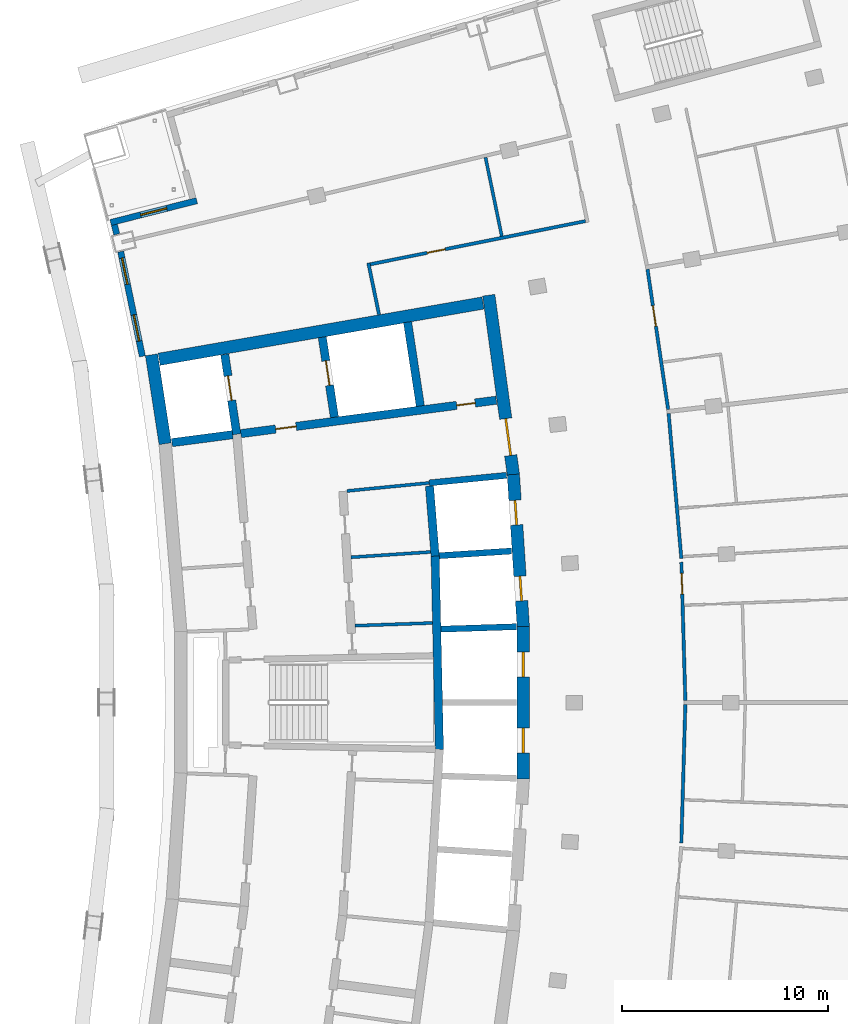
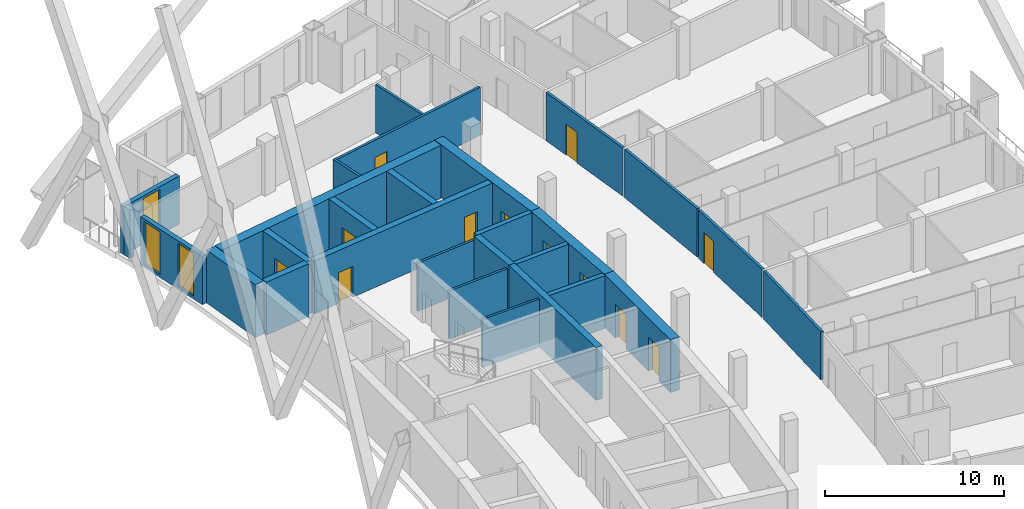
# One storey, part 13 of 20: 28 walls, 12 doors, 3 windows, 15 openings.
"""IFC4 building model written with IfcOpenShell, lengths in metres."""

from ifc_helpers import new_model, si_unit, direction, frame, frame_2d, origin, place, context, subcontext, project, spatial, rectangle, extrude, material, layer, layer_set, type_object, element, fill, save


model = new_model("IFC4")

# Units and contexts
model_context = context("Model", 3, precision=1e-05, world=origin(), true_north=direction((0.0, 1.0)))
body_context = subcontext(model_context, "Body", "Model", "MODEL_VIEW")
ifc_project = project(units=[si_unit("LENGTHUNIT", "METRE"), si_unit("AREAUNIT", "SQUARE_METRE"), si_unit("VOLUMEUNIT", "CUBIC_METRE"), si_unit("PLANEANGLEUNIT", "RADIAN"), si_unit("MASSUNIT", "GRAM", prefix="KILO")], contexts=[model_context])

# Site, building, storey
site_placement = place(None, origin())
site = spatial("IfcSite", under=ifc_project, at=site_placement, CompositionType="ELEMENT")
building_placement = place(site_placement, origin())
building = spatial("IfcBuilding", under=site, at=building_placement, Name="Alderwake Tower", CompositionType="ELEMENT")
storey_placement = place(building_placement, frame((0.0, 0.0, 189.199951171875)))
storey = spatial("IfcBuildingStorey", under=building, at=storey_placement, Name="L46", CompositionType="ELEMENT", Elevation=189.199951171875)

# Walls
ifc_material_1 = material(Name="Gypsum shaft wall system, rated")
ifc_layer_1 = layer(ifc_material_1, 0.14990234375)
ifc_layer_set_1 = layer_set([ifc_layer_1], Name="Core riser partition 150")
wall_type_1 = type_object("IfcWallType", Name="Core riser partition 150", PredefinedType="PARTITIONING", material=ifc_layer_set_1)
wall_1_placement = place(storey_placement, frame((25.191162109375, 64.723388671875, 0.0), z_axis=(0.0, 0.0, 1.0), x_axis=(0.999373256208, 0.035399078746, 0.0)))
element("IfcWall", 1, at=wall_1_placement, inside=storey, type_object=wall_type_1, Name="CW/L46/PR+37_+86", PredefinedType="PARTITIONING", context=body_context, shape_type="SweptSolid", body=[
    extrude(rectangle(XDim=3.751953125, YDim=0.14990234375, at=frame_2d((1.8759765625, 0.0))), origin(), (0.0, 0.0, 1.0), 3.280029296875),
])
ifc_material_2 = material(Name="Gypsum shaft wall system, rated")
ifc_layer_2 = layer(ifc_material_2, 0.14990234375)
ifc_layer_set_2 = layer_set([ifc_layer_2], Name="Core room partition 150")
wall_type_2 = type_object("IfcWallType", Name="Core room partition 150", PredefinedType="PARTITIONING", material=ifc_layer_set_2)
wall_2_placement = place(storey_placement, frame((24.992431640625, 68.038818359375, 0.0), z_axis=(0.0, 0.0, 1.0), x_axis=(0.997760236964, 0.066891774789, 0.0)))
element("IfcWall", 2, at=wall_2_placement, inside=storey, type_object=wall_type_2, Name="CW/L46/PR+70_+86", PredefinedType="PARTITIONING", context=body_context, shape_type="SweptSolid", body=[
    extrude(rectangle(XDim=3.86865234375, YDim=0.14990234375, at=frame_2d((1.934326171875, 0.0))), origin(), (0.0, 0.0, 1.0), 3.280029296875),
])
wall_3_placement = place(storey_placement, frame((24.799560546875, 71.2548828125, 0.0), z_axis=(0.0, 0.0, 1.0), x_axis=(0.995250000627, 0.097352125046, 0.0)))
element("IfcWall", 3, at=wall_3_placement, inside=storey, type_object=wall_type_2, Name="CW/L46/PR+102_+86", PredefinedType="PARTITIONING", context=body_context, shape_type="SweptSolid", body=[
    extrude(rectangle(XDim=4.0, YDim=0.14990234375, at=frame_2d((2.0, 0.0))), origin(), (0.0, 0.0, 1.0), 3.280029296875),
])
ifc_material_3 = material(Name="Concrete C70/85", Category="concrete")
ifc_layer_3 = layer(ifc_material_3, 0.60009765625)
ifc_layer_set_3 = layer_set([ifc_layer_3], Name="Core wall outer 600 C70-85")
wall_type_3 = type_object("IfcWallType", Name="Core wall outer 600 C70-85", PredefinedType="SHEAR", material=ifc_layer_set_3)
wall_4_placement = place(storey_placement, frame((15.984130859375, 73.54296875, 0.0), z_axis=(0.0, 0.0, 1.0), x_axis=(-0.151922578304, 0.988392396876, 0.0)))
element("IfcWall", 4, at=wall_4_placement, inside=storey, type_object=wall_type_3, Name="Core wall CW.034", PredefinedType="SHEAR", context=body_context, shape_type="SweptSolid", body=[
    extrude(rectangle(XDim=4.361328125, YDim=0.60009765625, at=frame_2d((2.1806640625, 0.0))), origin(), (0.0, 0.0, 1.0), 3.60009765625),
])

# Wall, openings, doors
wall_5_placement = place(storey_placement, frame((33.340087890625, 57.30322265625, 0.0), z_axis=(0.0, 0.0, 1.0), x_axis=(0.0, 1.0, 0.0)))
wall_5 = element("IfcWall", 5, at=wall_5_placement, inside=storey, type_object=wall_type_3, Name="Core wall CW.018", PredefinedType="SHEAR", context=body_context, shape_type="SweptSolid", body=[
    extrude(rectangle(XDim=7.3935546875, YDim=0.60009765625, at=frame_2d((3.69677734375, 0.0))), origin(), (0.0, 0.0, 1.0), 3.60009765625),
])
opening_1_placement = place(wall_5_placement, frame((1.25341796875, 0.0, 0.0)))
opening_1 = element("IfcOpeningElement", 6, at=opening_1_placement, cuts=wall_5, Name="Opening LD-HP3", PredefinedType="OPENING", context=body_context, shape_type="SweptSolid", body=[
    extrude(rectangle(XDim=1.199951171875, YDim=2.300048828125, at=frame_2d((0.60009765625, 1.14990234375))), frame((0.0, 0.31005859375, 0.0), z_axis=(0.0, -1.0, 0.0), x_axis=(1.0, 0.0, 0.0)), (0.0, 0.0, 1.0), 0.6201171875),
])
opening_2_placement = place(wall_5_placement, frame((4.940185546875, 0.0, 0.0)))
opening_2 = element("IfcOpeningElement", 7, at=opening_2_placement, cuts=wall_5, Name="Opening LD-HP4", PredefinedType="OPENING", context=body_context, shape_type="SweptSolid", body=[
    extrude(rectangle(XDim=1.199951171875, YDim=2.300048828125, at=frame_2d((0.60009765625, 1.14990234375))), frame((0.0, 0.31005859375, 0.0), z_axis=(0.0, -1.0, 0.0), x_axis=(1.0, 0.0, 0.0)), (0.0, 0.0, 1.0), 0.6201171875),
])
ifc_material_4 = material(Name="Stainless steel sliding leaf", Category="steel")
door_type_1 = type_object("IfcDoorType", Name="Lift landing door 1200", OperationType="SLIDING_TO_LEFT", PredefinedType="DOOR", material=ifc_material_4)
door_1_placement = place(opening_1_placement, origin())
door_1 = element("IfcDoor", 8, at=door_1_placement, inside=storey, type_object=door_type_1, Name="Lift landing door HP3", OperationType="SLIDING_TO_LEFT", OverallHeight=2.300048828125, OverallWidth=1.199951171875, PredefinedType="DOOR", context=body_context, shape_type="SweptSolid", body=[
    extrude(rectangle(XDim=1.199951171875, YDim=2.300048828125, at=frame_2d((0.60009765625, 1.14990234375))), frame((0.0, 0.050048828125, 0.0), z_axis=(0.0, -1.0, 0.0), x_axis=(1.0, 0.0, 0.0)), (0.0, 0.0, 1.0), 0.10009765625),
])
fill(opening_1, door_1)
door_2_placement = place(opening_2_placement, origin())
door_2 = element("IfcDoor", 9, at=door_2_placement, inside=storey, type_object=door_type_1, Name="Lift landing door HP4", OperationType="SLIDING_TO_LEFT", OverallHeight=2.300048828125, OverallWidth=1.199951171875, PredefinedType="DOOR", context=body_context, shape_type="SweptSolid", body=[
    extrude(rectangle(XDim=1.199951171875, YDim=2.300048828125, at=frame_2d((0.60009765625, 1.14990234375))), frame((0.0, 0.050048828125, 0.0), z_axis=(0.0, -1.0, 0.0), x_axis=(1.0, 0.0, 0.0)), (0.0, 0.0, 1.0), 0.10009765625),
])
fill(opening_2, door_2)

wall_6_placement = place(storey_placement, frame((33.3408203125, 64.67626953125, 0.0), z_axis=(0.0, 0.0, 1.0), x_axis=(-0.065013379938, 0.997884392317, 0.0)))
wall_6 = element("IfcWall", 10, at=wall_6_placement, inside=storey, type_object=wall_type_3, Name="Core wall CW.015", PredefinedType="SHEAR", context=body_context, shape_type="SweptSolid", body=[
    extrude(rectangle(XDim=7.39404296875, YDim=0.60009765625, at=frame_2d((3.697021484375, 0.0))), origin(), (0.0, 0.0, 1.0), 3.60009765625),
])
opening_3_placement = place(wall_6_placement, frame((1.253173828125, 0.0, 0.0)))
opening_3 = element("IfcOpeningElement", 11, at=opening_3_placement, cuts=wall_6, Name="Opening LD-HP5", PredefinedType="OPENING", context=body_context, shape_type="SweptSolid", body=[
    extrude(rectangle(XDim=1.199951171875, YDim=2.300048828125, at=frame_2d((0.60009765625, 1.14990234375))), frame((0.0, 0.31005859375, 0.0), z_axis=(0.0, -1.0, 0.0), x_axis=(1.0, 0.0, 0.0)), (0.0, 0.0, 1.0), 0.6201171875),
])
opening_4_placement = place(wall_6_placement, frame((4.940185546875, 0.0, 0.0)))
opening_4 = element("IfcOpeningElement", 12, at=opening_4_placement, cuts=wall_6, Name="Opening LD-HP6", PredefinedType="OPENING", context=body_context, shape_type="SweptSolid", body=[
    extrude(rectangle(XDim=1.199951171875, YDim=2.300048828125, at=frame_2d((0.60009765625, 1.14990234375))), frame((0.0, 0.31005859375, 0.0), z_axis=(0.0, -1.0, 0.0), x_axis=(1.0, 0.0, 0.0)), (0.0, 0.0, 1.0), 0.6201171875),
])
door_3_placement = place(opening_3_placement, origin())
door_3 = element("IfcDoor", 13, at=door_3_placement, inside=storey, type_object=door_type_1, Name="Lift landing door HP5", OperationType="SLIDING_TO_LEFT", OverallHeight=2.300048828125, OverallWidth=1.199951171875, PredefinedType="DOOR", context=body_context, shape_type="SweptSolid", body=[
    extrude(rectangle(XDim=1.199951171875, YDim=2.300048828125, at=frame_2d((0.60009765625, 1.14990234375))), frame((0.0, 0.050048828125, 0.0), z_axis=(0.0, -1.0, 0.0), x_axis=(1.0, 0.0, 0.0)), (0.0, 0.0, 1.0), 0.10009765625),
])
fill(opening_3, door_3)
door_4_placement = place(opening_4_placement, origin())
door_4 = element("IfcDoor", 14, at=door_4_placement, inside=storey, type_object=door_type_1, Name="Lift landing door HP6", OperationType="SLIDING_TO_LEFT", OverallHeight=2.300048828125, OverallWidth=1.199951171875, PredefinedType="DOOR", context=body_context, shape_type="SweptSolid", body=[
    extrude(rectangle(XDim=1.199951171875, YDim=2.300048828125, at=frame_2d((0.60009765625, 1.14990234375))), frame((0.0, 0.050048828125, 0.0), z_axis=(0.0, -1.0, 0.0), x_axis=(1.0, 0.0, 0.0)), (0.0, 0.0, 1.0), 0.10009765625),
])
fill(opening_4, door_4)

# Wall, opening, door
wall_7_placement = place(storey_placement, frame((31.66796875, 80.743896484375, 0.0), z_axis=(0.0, 0.0, 1.0), x_axis=(0.135856583698, -0.990728514108, 0.0)))
wall_7 = element("IfcWall", 15, at=wall_7_placement, inside=storey, type_object=wall_type_3, Name="Core wall CW.014", PredefinedType="SHEAR", context=body_context, shape_type="SweptSolid", body=[
    extrude(rectangle(XDim=8.79296875, YDim=0.60009765625, at=frame_2d((4.396484375, 0.0))), origin(), (0.0, 0.0, 1.0), 3.60009765625),
])
opening_5_placement = place(wall_7_placement, frame((6.038818359375, 0.0, 0.0)))
opening_5 = element("IfcOpeningElement", 16, at=opening_5_placement, cuts=wall_7, Name="Opening C001", PredefinedType="OPENING", context=body_context, shape_type="SweptSolid", body=[
    extrude(rectangle(XDim=1.800048828125, YDim=2.10009765625, at=frame_2d((0.89990234375, 1.050048828125))), frame((0.0, 0.31005859375, 0.0), z_axis=(0.0, -1.0, 0.0), x_axis=(1.0, 0.0, 0.0)), (0.0, 0.0, 1.0), 0.6201171875),
])
ifc_material_5 = material(Name="Steel-framed fire door leaves", Category="steel")
door_type_2 = type_object("IfcDoorType", Name="Core double door 1800 fire-rated", OperationType="DOUBLE_DOOR_SINGLE_SWING", PredefinedType="DOOR", material=ifc_material_5)
door_5_placement = place(opening_5_placement, origin())
door_5 = element("IfcDoor", 17, at=door_5_placement, inside=storey, type_object=door_type_2, Name="Lobby double door", OperationType="DOUBLE_DOOR_SINGLE_SWING", OverallHeight=2.10009765625, OverallWidth=1.800048828125, PredefinedType="DOOR", context=body_context, shape_type="SweptSolid", body=[
    extrude(rectangle(XDim=1.800048828125, YDim=2.10009765625, at=frame_2d((0.89990234375, 1.050048828125))), frame((0.0, 0.050048828125, 0.0), z_axis=(0.0, -1.0, 0.0), x_axis=(1.0, 0.0, 0.0)), (0.0, 0.0, 1.0), 0.10009765625),
])
fill(opening_5, door_5)

# Walls
wall_8_placement = place(storey_placement, frame((15.68896484375, 77.6357421875, 0.0), z_axis=(0.0, 0.0, 1.0), x_axis=(0.985223223422, 0.17127521721, 0.0)))
element("IfcWall", 18, at=wall_8_placement, inside=storey, type_object=wall_type_3, Name="Core wall CW.055", PredefinedType="SHEAR", context=body_context, shape_type="SweptSolid", body=[
    extrude(rectangle(XDim=15.933349609375, YDim=0.60009765625, at=frame_2d((7.966796875, 0.0))), origin(), (0.0, 0.0, 1.0), 3.60009765625),
])
ifc_material_6 = material(Name="Concrete C70/85", Category="concrete")
ifc_layer_4 = layer(ifc_material_6, 0.300048828125)
ifc_layer_set_4 = layer_set([ifc_layer_4], Name="Core wall shaft 300 C70-85")
wall_type_4 = type_object("IfcWallType", Name="Core wall shaft 300 C70-85", PredefinedType="SHEAR", material=ifc_layer_set_4)
wall_9_placement = place(storey_placement, frame((29.347412109375, 64.556396484375, 0.0), z_axis=(0.0, 0.0, 1.0), x_axis=(0.99946918462, 0.032578351638, 0.0)))
element("IfcWall", 19, at=wall_9_placement, inside=storey, type_object=wall_type_4, Name="Core wall CW.058", PredefinedType="SHEAR", context=body_context, shape_type="SweptSolid", body=[
    extrude(rectangle(XDim=3.66455078125, YDim=0.300048828125, at=frame_2d((1.832275390625, 0.0))), origin(), (0.0, 0.0, 1.0), 3.60009765625),
])
wall_10_placement = place(storey_placement, frame((29.268798828125, 68.115478515625, 0.0), z_axis=(0.0, 0.0, 1.0), x_axis=(0.997887366571, 0.064967712281, 0.0)))
element("IfcWall", 20, at=wall_10_placement, inside=storey, type_object=wall_type_4, Name="Core wall CW.061", PredefinedType="SHEAR", context=body_context, shape_type="SweptSolid", body=[
    extrude(rectangle(XDim=3.509765625, YDim=0.300048828125, at=frame_2d((1.7548828125, 0.0))), origin(), (0.0, 0.0, 1.0), 3.60009765625),
])
wall_11_placement = place(storey_placement, frame((28.780517578125, 71.644287109375, 0.0), z_axis=(0.0, 0.0, 1.0), x_axis=(0.995245280185, 0.097400370992, 0.0)))
element("IfcWall", 21, at=wall_11_placement, inside=storey, type_object=wall_type_4, Name="Core wall CW.049", PredefinedType="SHEAR", context=body_context, shape_type="SweptSolid", body=[
    extrude(rectangle(XDim=3.769775390625, YDim=0.300048828125, at=frame_2d((1.884765625, 0.0))), origin(), (0.0, 0.0, 1.0), 3.60009765625),
])

# Wall, opening, door
ifc_material_7 = material(Name="Concrete C70/85", Category="concrete")
ifc_layer_5 = layer(ifc_material_7, 0.39990234375)
ifc_layer_set_5 = layer_set([ifc_layer_5], Name="Core wall spine 400 C70-85")
wall_type_5 = type_object("IfcWallType", Name="Core wall spine 400 C70-85", PredefinedType="SHEAR", material=ifc_layer_set_5)
wall_12_placement = place(storey_placement, frame((19.4541015625, 74.00048828125, 0.0), z_axis=(0.0, 0.0, 1.0), x_axis=(-0.148977743105, 0.98884054936, 0.0)))
wall_12 = element("IfcWall", 22, at=wall_12_placement, inside=storey, type_object=wall_type_5, Name="Core wall CW.030", PredefinedType="SHEAR", context=body_context, shape_type="SweptSolid", body=[
    extrude(rectangle(XDim=3.9150390625, YDim=0.39990234375, at=frame_2d((1.95751953125, 0.0))), origin(), (0.0, 0.0, 1.0), 3.60009765625),
])
opening_6_placement = place(wall_12_placement, frame((1.6611328125, 0.0, 0.0)))
opening_6 = element("IfcOpeningElement", 23, at=opening_6_placement, cuts=wall_12, Name="Opening LD-FF1", PredefinedType="OPENING", context=body_context, shape_type="SweptSolid", body=[
    extrude(rectangle(XDim=1.199951171875, YDim=2.300048828125, at=frame_2d((0.60009765625, 1.14990234375))), frame((0.0, 0.2099609375, 0.0), z_axis=(0.0, -1.0, 0.0), x_axis=(1.0, 0.0, 0.0)), (0.0, 0.0, 1.0), 0.419921875),
])
door_6_placement = place(opening_6_placement, origin())
door_6 = element("IfcDoor", 24, at=door_6_placement, inside=storey, type_object=door_type_1, Name="Lift landing door FF1", OperationType="SLIDING_TO_LEFT", OverallHeight=2.300048828125, OverallWidth=1.199951171875, PredefinedType="DOOR", context=body_context, shape_type="SweptSolid", body=[
    extrude(rectangle(XDim=1.199951171875, YDim=2.300048828125, at=frame_2d((0.60009765625, 1.14990234375))), frame((0.0, 0.02490234375, 0.0), z_axis=(0.0, -1.0, 0.0), x_axis=(1.0, 0.0, 0.0)), (0.0, 0.0, 1.0), 0.050048828125),
])
fill(opening_6, door_6)

wall_13_placement = place(storey_placement, frame((24.186279296875, 74.82861328125, 0.0), z_axis=(0.0, 0.0, 1.0), x_axis=(-0.150092938275, 0.988671891924, 0.0)))
wall_13 = element("IfcWall", 25, at=wall_13_placement, inside=storey, type_object=wall_type_5, Name="Core wall CW.044", PredefinedType="SHEAR", context=body_context, shape_type="SweptSolid", body=[
    extrude(rectangle(XDim=3.92333984375, YDim=0.39990234375, at=frame_2d((1.961669921875, 0.0))), origin(), (0.0, 0.0, 1.0), 3.60009765625),
])
opening_7_placement = place(wall_13_placement, frame((1.561767578125, 0.0, 0.0)))
opening_7 = element("IfcOpeningElement", 26, at=opening_7_placement, cuts=wall_13, Name="Opening LD-FF2", PredefinedType="OPENING", context=body_context, shape_type="SweptSolid", body=[
    extrude(rectangle(XDim=1.199951171875, YDim=2.300048828125, at=frame_2d((0.60009765625, 1.14990234375))), frame((0.0, 0.2099609375, 0.0), z_axis=(0.0, -1.0, 0.0), x_axis=(1.0, 0.0, 0.0)), (0.0, 0.0, 1.0), 0.419921875),
])
door_7_placement = place(opening_7_placement, origin())
door_7 = element("IfcDoor", 27, at=door_7_placement, inside=storey, type_object=door_type_1, Name="Lift landing door FF2", OperationType="SLIDING_TO_LEFT", OverallHeight=2.300048828125, OverallWidth=1.199951171875, PredefinedType="DOOR", context=body_context, shape_type="SweptSolid", body=[
    extrude(rectangle(XDim=1.199951171875, YDim=2.300048828125, at=frame_2d((0.60009765625, 1.14990234375))), frame((0.0, 0.02490234375, 0.0), z_axis=(0.0, -1.0, 0.0), x_axis=(1.0, 0.0, 0.0)), (0.0, 0.0, 1.0), 0.050048828125),
])
fill(opening_7, door_7)

# Walls
wall_14_placement = place(storey_placement, frame((29.276611328125, 58.71826171875, 0.0), z_axis=(0.0, 0.0, 1.0), x_axis=(-0.022119171053, 0.999755341207, 0.0)))
element("IfcWall", 28, at=wall_14_placement, inside=storey, type_object=wall_type_5, Name="Core wall CW.007", PredefinedType="SHEAR", context=body_context, shape_type="SweptSolid", body=[
    extrude(rectangle(XDim=9.392822265625, YDim=0.39990234375, at=frame_2d((4.6962890625, 0.0))), origin(), (0.0, 0.0, 1.0), 3.60009765625),
])
wall_15_placement = place(storey_placement, frame((29.069580078125, 68.09619140625, 0.0), z_axis=(0.0, 0.0, 1.0), x_axis=(-0.080544811251, 0.996750988653, 0.0)))
element("IfcWall", 29, at=wall_15_placement, inside=storey, type_object=wall_type_5, Name="Core wall CW.003", PredefinedType="SHEAR", context=body_context, shape_type="SweptSolid", body=[
    extrude(rectangle(XDim=3.409912109375, YDim=0.39990234375, at=frame_2d((1.705078125, 0.0))), origin(), (0.0, 0.0, 1.0), 3.60009765625),
])
wall_16_placement = place(storey_placement, frame((28.350830078125, 75.373291015625, 0.0), z_axis=(0.0, 0.0, 1.0), x_axis=(-0.150143035921, 0.988664285167, 0.0)))
element("IfcWall", 30, at=wall_16_placement, inside=storey, type_object=wall_type_5, Name="Core wall CW.001", PredefinedType="SHEAR", context=body_context, shape_type="SweptSolid", body=[
    extrude(rectangle(XDim=4.1123046875, YDim=0.39990234375, at=frame_2d((2.05615234375, 0.0))), origin(), (0.0, 0.0, 1.0), 3.60009765625),
])
wall_17_placement = place(storey_placement, frame((16.31005859375, 73.5966796875, 0.0), z_axis=(0.0, 0.0, 1.0), x_axis=(0.99155863891, 0.12965903595, 0.0)))
element("IfcWall", 31, at=wall_17_placement, inside=storey, type_object=wall_type_5, Name="Core wall CW.051", PredefinedType="SHEAR", context=body_context, shape_type="SweptSolid", body=[
    extrude(rectangle(XDim=2.969482421875, YDim=0.39990234375, at=frame_2d((1.48486328125, 0.0))), origin(), (0.0, 0.0, 1.0), 3.60009765625),
])

# Wall, openings, doors
wall_18_placement = place(storey_placement, frame((32.032958984375, 75.653076171875, 0.0), z_axis=(0.0, 0.0, 1.0), x_axis=(-0.991554886316, -0.129687730428, 0.0)))
wall_18 = element("IfcWall", 32, at=wall_18_placement, inside=storey, type_object=wall_type_5, Name="Core wall CW.052", PredefinedType="SHEAR", context=body_context, shape_type="SweptSolid", body=[
    extrude(rectangle(XDim=12.48681640625, YDim=0.39990234375, at=frame_2d((6.243408203125, 0.0))), origin(), (0.0, 0.0, 1.0), 3.60009765625),
])
opening_8_placement = place(wall_18_placement, frame((9.787109375, 0.0, 0.0)))
opening_8 = element("IfcOpeningElement", 33, at=opening_8_placement, cuts=wall_18, Name="Opening C002", PredefinedType="OPENING", context=body_context, shape_type="SweptSolid", body=[
    extrude(rectangle(XDim=1.0, YDim=2.10009765625, at=frame_2d((0.5, 1.050048828125))), frame((0.0, 0.2099609375, 0.0), z_axis=(0.0, -1.0, 0.0), x_axis=(1.0, 0.0, 0.0)), (0.0, 0.0, 1.0), 0.419921875),
])
opening_9_placement = place(wall_18_placement, frame((1.037109375, 0.0, 0.0)))
opening_9 = element("IfcOpeningElement", 34, at=opening_9_placement, cuts=wall_18, Name="Opening C020", PredefinedType="OPENING", context=body_context, shape_type="SweptSolid", body=[
    extrude(rectangle(XDim=0.89990234375, YDim=2.10009765625, at=frame_2d((0.449951171875, 1.050048828125))), frame((0.0, 0.2099609375, 0.0), z_axis=(0.0, -1.0, 0.0), x_axis=(1.0, 0.0, 0.0)), (0.0, 0.0, 1.0), 0.419921875),
])
ifc_material_8 = material(Name="Painted steel leaf", Category="steel")
door_type_3 = type_object("IfcDoorType", Name="Core room door 900", OperationType="SINGLE_SWING_LEFT", PredefinedType="DOOR", material=ifc_material_8)
door_8_placement = place(opening_9_placement, origin())
door_8 = element("IfcDoor", 35, at=door_8_placement, inside=storey, type_object=door_type_3, Name="Room door", OperationType="SINGLE_SWING_LEFT", OverallHeight=2.10009765625, OverallWidth=0.89990234375, PredefinedType="DOOR", context=body_context, shape_type="SweptSolid", body=[
    extrude(rectangle(XDim=0.89990234375, YDim=2.10009765625, at=frame_2d((0.449951171875, 1.050048828125))), frame((0.0, 0.02490234375, 0.0), z_axis=(0.0, -1.0, 0.0), x_axis=(1.0, 0.0, 0.0)), (0.0, 0.0, 1.0), 0.050048828125),
])
fill(opening_9, door_8)
ifc_material_9 = material(Name="Steel-framed fire door leaf", Category="steel")
door_type_4 = type_object("IfcDoorType", Name="Firefighting lobby door 1000 fire-rated", OperationType="SINGLE_SWING_LEFT", PredefinedType="DOOR", material=ifc_material_9)
door_9_placement = place(opening_8_placement, origin())
door_9 = element("IfcDoor", 36, at=door_9_placement, inside=storey, type_object=door_type_4, Name="Firefighting lobby door", OperationType="SINGLE_SWING_RIGHT", OverallHeight=2.10009765625, OverallWidth=1.0, PredefinedType="DOOR", context=body_context, shape_type="SweptSolid", body=[
    extrude(rectangle(XDim=1.0, YDim=2.10009765625, at=frame_2d((0.5, 1.050048828125))), frame((0.0, 0.02490234375, 0.0), z_axis=(0.0, -1.0, 0.0), x_axis=(1.0, 0.0, 0.0)), (0.0, 0.0, 1.0), 0.050048828125),
])
fill(opening_8, door_9)

# Wall
ifc_material_10 = material(Name="Gypsum board on metal studs, rated")
ifc_layer_6 = layer(ifc_material_10, 0.159912109375)
ifc_layer_set_6 = layer_set([ifc_layer_6], Name="Corridor wall 160")
wall_type_6 = type_object("IfcWallType", Name="Corridor wall 160", PredefinedType="PARTITIONING", material=ifc_layer_set_6)
wall_19_placement = place(storey_placement, frame((25.831787109375, 82.305419921875, 0.0), z_axis=(0.0, 0.0, 1.0), x_axis=(0.202450797205, -0.979292435747, 0.0)))
element("IfcWall", 37, at=wall_19_placement, inside=storey, type_object=wall_type_6, Name="WL/L46/W11", PredefinedType="PARTITIONING", context=body_context, shape_type="SweptSolid", body=[
    extrude(rectangle(XDim=2.555419921875, YDim=0.159912109375, at=frame_2d((1.27783203125, 0.0))), origin(), (0.0, 0.0, 1.0), 3.280029296875),
])

# Wall, opening, door
wall_20_placement = place(storey_placement, frame((25.926513671875, 82.24267578125, 0.0), z_axis=(0.0, 0.0, 1.0), x_axis=(0.98046310274, 0.196703086316, 0.0)))
wall_20 = element("IfcWall", 38, at=wall_20_placement, inside=storey, type_object=wall_type_6, Name="WL/L46/W19", PredefinedType="PARTITIONING", context=body_context, shape_type="SweptSolid", body=[
    extrude(rectangle(XDim=10.637939453125, YDim=0.159912109375, at=frame_2d((5.31884765625, 0.0))), origin(), (0.0, 0.0, 1.0), 3.280029296875),
])
opening_10_placement = place(wall_20_placement, frame((2.80908203125, 0.0, 0.0)))
opening_10 = element("IfcOpeningElement", 39, at=opening_10_placement, cuts=wall_20, Name="Opening R13-SBN1", PredefinedType="OPENING", context=body_context, shape_type="SweptSolid", body=[
    extrude(rectangle(XDim=0.89990234375, YDim=2.10009765625, at=frame_2d((0.449951171875, 1.050048828125))), frame((0.0, 0.08984375, 0.0), z_axis=(0.0, -1.0, 0.0), x_axis=(1.0, 0.0, 0.0)), (0.0, 0.0, 1.0), 0.179931640625),
])
ifc_material_11 = material(Name="Painted timber leaf", Category="wood")
door_type_5 = type_object("IfcDoorType", Name="Room door 900", OperationType="SINGLE_SWING_LEFT", PredefinedType="DOOR", material=ifc_material_11)
door_10_placement = place(opening_10_placement, origin())
door_10 = element("IfcDoor", 40, at=door_10_placement, inside=storey, type_object=door_type_5, Name="DR/L46/SBN1", OperationType="SINGLE_SWING_LEFT", OverallHeight=2.10009765625, OverallWidth=0.89990234375, PredefinedType="DOOR", context=body_context, shape_type="SweptSolid", body=[
    extrude(rectangle(XDim=0.89990234375, YDim=2.10009765625, at=frame_2d((0.449951171875, 1.050048828125))), frame((0.0, 0.02490234375, 0.0), z_axis=(0.0, -1.0, 0.0), x_axis=(1.0, 0.0, 0.0)), (0.0, 0.0, 1.0), 0.050048828125),
])
fill(opening_10, door_10)

wall_21_placement = place(storey_placement, frame((39.362548828125, 82.001953125, 0.0), z_axis=(0.0, 0.0, 1.0), x_axis=(0.145565626222, -0.98934859805, 0.0)))
wall_21 = element("IfcWall", 41, at=wall_21_placement, inside=storey, type_object=wall_type_6, Name="WL/L46/W24", PredefinedType="PARTITIONING", context=body_context, shape_type="SweptSolid", body=[
    extrude(rectangle(XDim=6.8681640625, YDim=0.159912109375, at=frame_2d((3.43408203125, 0.0))), origin(), (0.0, 0.0, 1.0), 3.280029296875),
])
opening_11_placement = place(wall_21_placement, frame((1.782470703125, 0.0, 0.0)))
opening_11 = element("IfcOpeningElement", 42, at=opening_11_placement, cuts=wall_21, Name="Opening R13-U06.1", PredefinedType="OPENING", context=body_context, shape_type="SweptSolid", body=[
    extrude(rectangle(XDim=1.0, YDim=2.10009765625, at=frame_2d((0.5, 1.050048828125))), frame((0.0, 0.08984375, 0.0), z_axis=(0.0, -1.0, 0.0), x_axis=(1.0, 0.0, 0.0)), (0.0, 0.0, 1.0), 0.179931640625),
])
ifc_material_12 = material(Name="Solid timber leaf in steel frame", Category="steel")
door_type_6 = type_object("IfcDoorType", Name="Flat entrance door 1000 fire-rated", OperationType="SINGLE_SWING_LEFT", PredefinedType="DOOR", material=ifc_material_12)
door_11_placement = place(opening_11_placement, origin())
door_11 = element("IfcDoor", 43, at=door_11_placement, inside=storey, type_object=door_type_6, Name="DR/L46/U06.1", OperationType="SINGLE_SWING_LEFT", OverallHeight=2.10009765625, OverallWidth=1.0, PredefinedType="DOOR", context=body_context, shape_type="SweptSolid", body=[
    extrude(rectangle(XDim=1.0, YDim=2.10009765625, at=frame_2d((0.5, 1.050048828125))), frame((0.0, 0.02490234375, 0.0), z_axis=(0.0, -1.0, 0.0), x_axis=(1.0, 0.0, 0.0)), (0.0, 0.0, 1.0), 0.050048828125),
])
fill(opening_11, door_11)

# Walls
wall_22_placement = place(storey_placement, frame((41.002685546875, 54.20068359375, 0.0), z_axis=(0.0, 0.0, 1.0), x_axis=(0.028855161601, 0.999583603131, 0.0)))
element("IfcWall", 44, at=wall_22_placement, inside=storey, type_object=wall_type_6, Name="WL/L46/W25", PredefinedType="PARTITIONING", context=body_context, shape_type="SweptSolid", body=[
    extrude(rectangle(XDim=6.700927734375, YDim=0.159912109375, at=frame_2d((3.3505859375, 0.0))), origin(), (0.0, 0.0, 1.0), 3.280029296875),
])
wall_23_placement = place(storey_placement, frame((41.001953125, 67.9873046875, 0.0), z_axis=(0.0, 0.0, 1.0), x_axis=(-0.087430787456, 0.996170596537, 0.0)))
element("IfcWall", 45, at=wall_23_placement, inside=storey, type_object=wall_type_6, Name="WL/L46/W26", PredefinedType="PARTITIONING", context=body_context, shape_type="SweptSolid", body=[
    extrude(rectangle(XDim=7.048095703125, YDim=0.159912109375, at=frame_2d((3.52392578125, 0.0))), origin(), (0.0, 0.0, 1.0), 3.280029296875),
])

# Wall, opening, door
wall_24_placement = place(storey_placement, frame((41.002685546875, 67.80029296875, 0.0), z_axis=(0.0, 0.0, 1.0), x_axis=(0.0288425569, -0.999583966914, 0.0)))
wall_24 = element("IfcWall", 46, at=wall_24_placement, inside=storey, type_object=wall_type_6, Name="WL/L46/W27", PredefinedType="PARTITIONING", context=body_context, shape_type="SweptSolid", body=[
    extrude(rectangle(XDim=6.703857421875, YDim=0.159912109375, at=frame_2d((3.35205078125, 0.0))), origin(), (0.0, 0.0, 1.0), 3.280029296875),
])
opening_12_placement = place(wall_24_placement, frame((0.54541015625, 0.0, 0.0)))
opening_12 = element("IfcOpeningElement", 47, at=opening_12_placement, cuts=wall_24, Name="Opening R13-U05.2", PredefinedType="OPENING", context=body_context, shape_type="SweptSolid", body=[
    extrude(rectangle(XDim=1.0, YDim=2.10009765625, at=frame_2d((0.5, 1.050048828125))), frame((0.0, 0.08984375, 0.0), z_axis=(0.0, -1.0, 0.0), x_axis=(1.0, 0.0, 0.0)), (0.0, 0.0, 1.0), 0.179931640625),
])
door_12_placement = place(opening_12_placement, origin())
door_12 = element("IfcDoor", 48, at=door_12_placement, inside=storey, type_object=door_type_6, Name="DR/L46/U05.2", OperationType="SINGLE_SWING_LEFT", OverallHeight=2.10009765625, OverallWidth=1.0, PredefinedType="DOOR", context=body_context, shape_type="SweptSolid", body=[
    extrude(rectangle(XDim=1.0, YDim=2.10009765625, at=frame_2d((0.5, 1.050048828125))), frame((0.0, 0.02490234375, 0.0), z_axis=(0.0, -1.0, 0.0), x_axis=(1.0, 0.0, 0.0)), (0.0, 0.0, 1.0), 0.050048828125),
])
fill(opening_12, door_12)

# Wall
ifc_material_13 = material(Name="Precast concrete C50/60 spandrel panel", Category="concrete")
ifc_layer_7 = layer(ifc_material_13, 0.300048828125)
ifc_layer_set_7 = layer_set([ifc_layer_7], Name="External wall EW1 Precast concrete C50/60 spandrel")
wall_type_7 = type_object("IfcWallType", Name="External wall EW1 Precast concrete C50/60 spandrel", PredefinedType="SOLIDWALL", material=ifc_layer_set_7)
wall_25_placement = place(storey_placement, frame((13.523193359375, 84.1572265625, 0.0), z_axis=(0.0, 0.0, 1.0), x_axis=(0.238448700846, -0.971155094238, 0.0)))
element("IfcWall", 49, at=wall_25_placement, inside=storey, type_object=wall_type_7, Name="External wall 30", PredefinedType="SOLIDWALL", context=body_context, shape_type="SweptSolid", body=[
    extrude(rectangle(XDim=0.47802734375, YDim=0.300048828125, at=frame_2d((0.239013671875, 0.0))), origin(), (0.0, 0.0, 1.0), 3.280029296875),
])

# Wall, openings, windows
wall_26_placement = place(storey_placement, frame((13.826904296875, 82.8544921875, 0.0), z_axis=(0.0, 0.0, 1.0), x_axis=(0.202730149235, -0.979234643276, 0.0)))
wall_26 = element("IfcWall", 50, at=wall_26_placement, inside=storey, type_object=wall_type_7, Name="External wall 31", PredefinedType="SOLIDWALL", context=body_context, shape_type="SweptSolid", body=[
    extrude(rectangle(XDim=5.185546875, YDim=0.300048828125, at=frame_2d((2.5927734375, 0.0))), origin(), (0.0, 0.0, 1.0), 3.280029296875),
])
opening_13_placement = place(wall_26_placement, frame((0.316162109375, 0.0, 0.199951171875)))
opening_13 = element("IfcOpeningElement", 51, at=opening_13_placement, cuts=wall_26, Name="Opening W1", PredefinedType="OPENING", context=body_context, shape_type="SweptSolid", body=[
    extrude(rectangle(XDim=1.300048828125, YDim=2.89990234375, at=frame_2d((0.64990234375, 1.449951171875))), frame((0.0, 0.159912109375, 0.0), z_axis=(0.0, -1.0, 0.0), x_axis=(1.0, 0.0, 0.0)), (0.0, 0.0, 1.0), 0.320068359375),
])
opening_14_placement = place(wall_26_placement, frame((3.12890625, 0.0, 0.199951171875)))
opening_14 = element("IfcOpeningElement", 52, at=opening_14_placement, cuts=wall_26, Name="Opening W1", PredefinedType="OPENING", context=body_context, shape_type="SweptSolid", body=[
    extrude(rectangle(XDim=1.300048828125, YDim=2.89990234375, at=frame_2d((0.64990234375, 1.449951171875))), frame((0.0, 0.159912109375, 0.0), z_axis=(0.0, -1.0, 0.0), x_axis=(1.0, 0.0, 0.0)), (0.0, 0.0, 1.0), 0.320068359375),
])
ifc_material_14 = material(Name="Bronze tinted glass in aluminium frame", Category="aluminium")
window_type = type_object("IfcWindowType", Name="Window W1 tall fixed and vent", PartitioningType="DOUBLE_PANEL_VERTICAL", PredefinedType="WINDOW", material=ifc_material_14)
window_1_placement = place(opening_13_placement, origin())
window_1 = element("IfcWindow", 53, at=window_1_placement, inside=storey, type_object=window_type, Name="Window W1 tall fixed and vent", OverallHeight=2.89990234375, OverallWidth=1.300048828125, PartitioningType="DOUBLE_PANEL_VERTICAL", PredefinedType="WINDOW", context=body_context, shape_type="SweptSolid", body=[
    extrude(rectangle(XDim=1.300048828125, YDim=2.89990234375, at=frame_2d((0.64990234375, 1.449951171875))), frame((0.0, 0.030029296875, 0.0), z_axis=(0.0, -1.0, 0.0), x_axis=(1.0, 0.0, 0.0)), (0.0, 0.0, 1.0), 0.06005859375),
])
fill(opening_13, window_1)
window_2_placement = place(opening_14_placement, origin())
window_2 = element("IfcWindow", 54, at=window_2_placement, inside=storey, type_object=window_type, Name="Window W1 tall fixed and vent", OverallHeight=2.89990234375, OverallWidth=1.300048828125, PartitioningType="DOUBLE_PANEL_VERTICAL", PredefinedType="WINDOW", context=body_context, shape_type="SweptSolid", body=[
    extrude(rectangle(XDim=1.300048828125, YDim=2.89990234375, at=frame_2d((0.64990234375, 1.449951171875))), frame((0.0, 0.030029296875, 0.0), z_axis=(0.0, -1.0, 0.0), x_axis=(1.0, 0.0, 0.0)), (0.0, 0.0, 1.0), 0.06005859375),
])
fill(opening_14, window_2)

# Wall, opening, window
ifc_material_15 = material(Name="Bronze metal cladding on lightweight framing")
ifc_layer_8 = layer(ifc_material_15, 0.300048828125)
ifc_layer_set_8 = layer_set([ifc_layer_8], Name="External wall EW2 bronze metal cladding")
wall_type_8 = type_object("IfcWallType", Name="External wall EW2 bronze metal cladding", PredefinedType="SOLIDWALL", material=ifc_layer_set_8)
wall_27_placement = place(storey_placement, frame((17.51611328125, 85.32275390625, 0.0), z_axis=(0.0, 0.0, 1.0), x_axis=(-0.969417740682, -0.245416470617, 0.0)))
wall_27 = element("IfcWall", 55, at=wall_27_placement, inside=storey, type_object=wall_type_8, Name="External wall 29", PredefinedType="SOLIDWALL", context=body_context, shape_type="SweptSolid", body=[
    extrude(rectangle(XDim=4.305419921875, YDim=0.300048828125, at=frame_2d((2.15283203125, 0.0))), origin(), (0.0, 0.0, 1.0), 3.280029296875),
])
opening_15_placement = place(wall_27_placement, frame((1.502685546875, 0.0, 0.199951171875)))
opening_15 = element("IfcOpeningElement", 56, at=opening_15_placement, cuts=wall_27, Name="Opening W1", PredefinedType="OPENING", context=body_context, shape_type="SweptSolid", body=[
    extrude(rectangle(XDim=1.300048828125, YDim=2.89990234375, at=frame_2d((0.64990234375, 1.449951171875))), frame((0.0, 0.159912109375, 0.0), z_axis=(0.0, -1.0, 0.0), x_axis=(1.0, 0.0, 0.0)), (0.0, 0.0, 1.0), 0.320068359375),
])
window_3_placement = place(opening_15_placement, origin())
window_3 = element("IfcWindow", 57, at=window_3_placement, inside=storey, type_object=window_type, Name="Window W1 tall fixed and vent", OverallHeight=2.89990234375, OverallWidth=1.300048828125, PartitioningType="DOUBLE_PANEL_VERTICAL", PredefinedType="WINDOW", context=body_context, shape_type="SweptSolid", body=[
    extrude(rectangle(XDim=1.300048828125, YDim=2.89990234375, at=frame_2d((0.64990234375, 1.449951171875))), frame((0.0, 0.030029296875, 0.0), z_axis=(0.0, -1.0, 0.0), x_axis=(1.0, 0.0, 0.0)), (0.0, 0.0, 1.0), 0.06005859375),
])
fill(opening_15, window_3)

# Wall
ifc_material_16 = material(Name="Gypsum shaft wall system, rated")
ifc_layer_9 = layer(ifc_material_16, 0.14990234375)
ifc_layer_set_9 = layer_set([ifc_layer_9], Name="Riser and shaft wall 150")
wall_type_9 = type_object("IfcWallType", Name="Riser and shaft wall 150", PredefinedType="PARTITIONING", material=ifc_layer_set_9)
wall_28_placement = place(storey_placement, frame((32.2998046875, 83.601318359375, 0.0), z_axis=(0.0, 0.0, 1.0), x_axis=(-0.202493797034, 0.979283545334, 0.0)))
element("IfcWall", 58, at=wall_28_placement, inside=storey, type_object=wall_type_9, Name="WL/L46/W05", PredefinedType="PARTITIONING", context=body_context, shape_type="SweptSolid", body=[
    extrude(rectangle(XDim=3.899169921875, YDim=0.14990234375, at=frame_2d((1.94970703125, 0.0))), origin(), (0.0, 0.0, 1.0), 3.280029296875),
])

save(model, "model.ifc")
